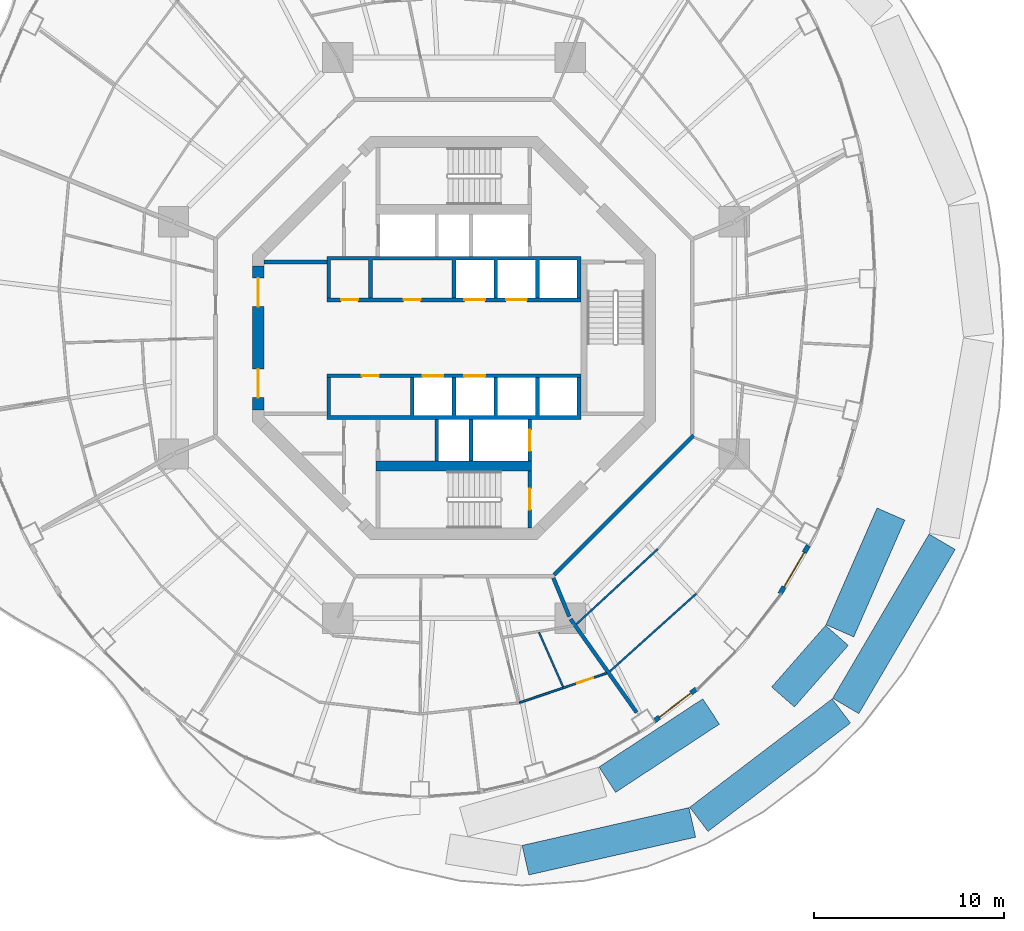
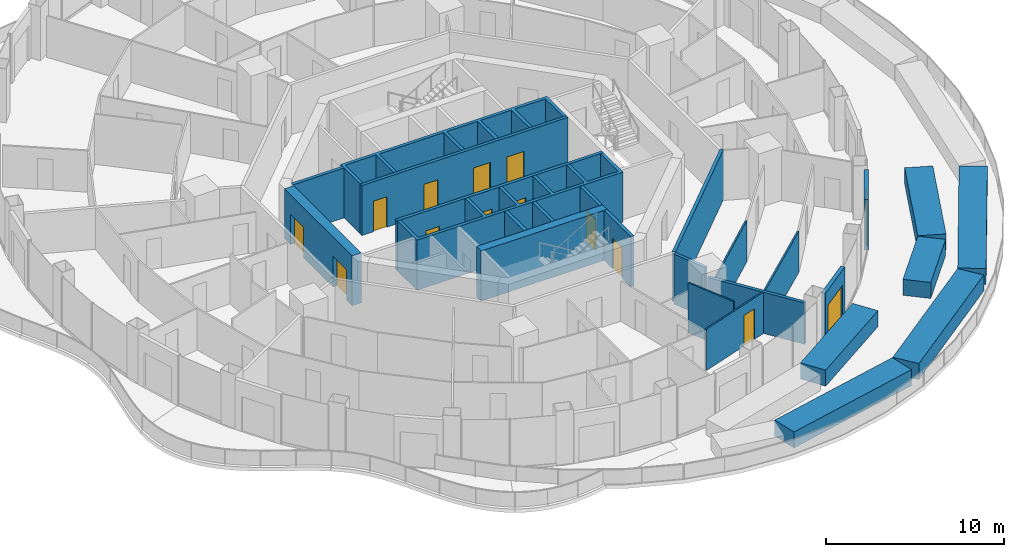
# One storey, part 11 of 18: 26 walls, 14 doors, 14 openings.
"""IFC4 building model written with IfcOpenShell, lengths in metres."""

from ifc_helpers import new_model, si_unit, direction, frame, frame_2d, origin, place, context, subcontext, project, spatial, polyline, rectangle, outline, extrude, material, layer, layer_set, type_object, element, fill, save


model = new_model("IFC4")

# Units and contexts
model_context = context("Model", 3, precision=1e-05, world=origin(), true_north=direction((0.0, 1.0)))
body_context = subcontext(model_context, "Body", "Model", "MODEL_VIEW")
ifc_project = project(units=[si_unit("LENGTHUNIT", "METRE"), si_unit("AREAUNIT", "SQUARE_METRE"), si_unit("VOLUMEUNIT", "CUBIC_METRE"), si_unit("PLANEANGLEUNIT", "RADIAN"), si_unit("MASSUNIT", "GRAM", prefix="KILO")], contexts=[model_context])

# Site, building, storey
site_placement = place(None, origin())
site = spatial("IfcSite", under=ifc_project, at=site_placement, CompositionType="ELEMENT")
building_placement = place(site_placement, origin())
building = spatial("IfcBuilding", under=site, at=building_placement, Name="Nagisa Residences", CompositionType="ELEMENT")
storey_placement = place(building_placement, frame((0.0, 0.0, 212.199951171875)))
storey = spatial("IfcBuildingStorey", under=building, at=storey_placement, Name="L53", CompositionType="ELEMENT", Elevation=212.199951171875)

# Walls
ifc_material_1 = material(Name="Gypsum board on steel studs", Category="steel")
ifc_layer_1 = layer(ifc_material_1, 0.199951171875)
ifc_layer_set_1 = layer_set([ifc_layer_1], Name="Apartment compartment wall EI60 200")
wall_type_1 = type_object("IfcWallType", Name="Apartment compartment wall EI60 200", PredefinedType="PARTITIONING", material=ifc_layer_set_1)
wall_1_placement = place(storey_placement, frame((5.24267578125, -12.6572265625, 0.0), z_axis=(0.0, 0.0, 1.0), x_axis=(0.382691608661, -0.923876145736, 0.0)))
element("IfcWall", 1, at=wall_1_placement, inside=storey, type_object=wall_type_1, Name="wall:L53:u06", PredefinedType="PARTITIONING", context=body_context, shape_type="SweptSolid", body=[
    extrude(rectangle(XDim=2.19970703125, YDim=0.199951171875, at=frame_2d((1.099853515625, 0.0))), origin(), (0.0, 0.0, 1.0), 3.43994140625),
])
wall_2_placement = place(storey_placement, frame((6.15185546875, -14.822998046875, 0.0), z_axis=(0.0, 0.0, 1.0), x_axis=(0.576994695158, -0.816747893637, 0.0)))
element("IfcWall", 2, at=wall_2_placement, inside=storey, type_object=wall_type_1, Name="wall:L53:u07", PredefinedType="PARTITIONING", context=body_context, shape_type="SweptSolid", body=[
    extrude(rectangle(XDim=6.0302734375, YDim=0.199951171875, at=frame_2d((3.01513671875, 0.0))), origin(), (0.0, 0.0, 1.0), 2.837158203125),
])
ifc_material_2 = material(Name="Gypsum board on steel studs", Category="steel")
ifc_layer_2 = layer(ifc_material_2, 0.199951171875)
ifc_layer_set_2 = layer_set([ifc_layer_2], Name="Apartment entry wall EI60 200")
wall_type_2 = type_object("IfcWallType", Name="Apartment entry wall EI60 200", PredefinedType="PARTITIONING", material=ifc_layer_set_2)
wall_3_placement = place(storey_placement, frame((5.275146484375, -12.494140625, 0.0), z_axis=(0.0, 0.0, 1.0), x_axis=(0.707106781187, 0.707106781187, 0.0)))
element("IfcWall", 3, at=wall_3_placement, inside=storey, type_object=wall_type_2, Name="wall:L53:u15", PredefinedType="PARTITIONING", context=body_context, shape_type="SweptSolid", body=[
    extrude(rectangle(XDim=10.4091796875, YDim=0.199951171875, at=frame_2d((5.20458984375, 0.0))), origin(), (0.0, 0.0, 1.0), 3.43994140625),
])

# Wall, opening, door
ifc_material_3 = material(Name="Gypsum board on steel studs", Category="steel")
ifc_layer_3 = layer(ifc_material_3, 0.10009765625)
ifc_layer_set_3 = layer_set([ifc_layer_3], Name="Apartment partition 100")
wall_type_3 = type_object("IfcWallType", Name="Apartment partition 100", PredefinedType="PARTITIONING", material=ifc_layer_set_3)
wall_4_placement = place(storey_placement, frame((3.453125, -19.228759765625, 0.0), z_axis=(0.0, 0.0, 1.0), x_axis=(0.947565610716, 0.31956128268, 0.0)))
wall_4 = element("IfcWall", 4, at=wall_4_placement, inside=storey, type_object=wall_type_3, Name="wall:L53:u80", PredefinedType="PARTITIONING", context=body_context, shape_type="SweptSolid", body=[
    extrude(rectangle(XDim=4.852783203125, YDim=0.10009765625, at=frame_2d((2.42626953125, 0.0))), origin(), (0.0, 0.0, 1.0), 2.837158203125),
])
opening_1_placement = place(wall_4_placement, frame((3.2021484375, 0.0, 0.0)))
opening_1 = element("IfcOpeningElement", 5, at=opening_1_placement, cuts=wall_4, Name="Opening L53-U38", PredefinedType="OPENING", context=body_context, shape_type="SweptSolid", body=[
    extrude(rectangle(XDim=0.89990234375, YDim=2.10009765625, at=frame_2d((0.449951171875, 1.050048828125))), frame((0.0, 0.06005859375, 0.0), z_axis=(0.0, -1.0, 0.0), x_axis=(1.0, 0.0, 0.0)), (0.0, 0.0, 1.0), 0.1201171875),
])
ifc_material_4 = material(Name="Timber door set", Category="wood")
door_type_1 = type_object("IfcDoorType", Name="Apartment door 900x2100", OperationType="NOTDEFINED", PredefinedType="DOOR", material=ifc_material_4)
door_1_placement = place(opening_1_placement, origin())
door_1 = element("IfcDoor", 6, at=door_1_placement, inside=storey, type_object=door_type_1, Name="Door to en-suite bathroom, Apartment 53C", OperationType="SINGLE_SWING_RIGHT", OverallHeight=2.10009765625, OverallWidth=0.89990234375, PredefinedType="DOOR", context=body_context, shape_type="SweptSolid", body=[
    extrude(rectangle(XDim=0.89990234375, YDim=2.10009765625, at=frame_2d((0.449951171875, 1.050048828125))), frame((0.0, 0.02490234375, 0.0), z_axis=(0.0, -1.0, 0.0), x_axis=(1.0, 0.0, 0.0)), (0.0, 0.0, 1.0), 0.050048828125),
])
fill(opening_1, door_1)

# Walls
wall_5_placement = place(storey_placement, frame((4.4853515625, -15.522216796875, 0.0), z_axis=(0.0, 0.0, 1.0), x_axis=(0.40391918208, -0.914794673327, 0.0)))
element("IfcWall", 7, at=wall_5_placement, inside=storey, type_object=wall_type_3, Name="wall:L53:u81", PredefinedType="PARTITIONING", context=body_context, shape_type="SweptSolid", body=[
    extrude(rectangle(XDim=3.1455078125, YDim=0.10009765625, at=frame_2d((1.57275390625, 0.0))), origin(), (0.0, 0.0, 1.0), 3.43994140625),
])
wall_6_placement = place(storey_placement, frame((6.460693359375, -15.08837890625, 0.0), z_axis=(0.0, 0.0, 1.0), x_axis=(0.73461579427, 0.678483334217, 0.0)))
element("IfcWall", 8, at=wall_6_placement, inside=storey, type_object=wall_type_3, Name="wall:L53:u82", PredefinedType="PARTITIONING", context=body_context, shape_type="SweptSolid", body=[
    extrude(rectangle(XDim=5.8369140625, YDim=0.10009765625, at=frame_2d((2.91845703125, 0.0))), origin(), (0.0, 0.0, 1.0), 2.837158203125),
])
wall_7_placement = place(storey_placement, frame((8.220458984375, -17.5791015625, 0.0), z_axis=(0.0, 0.0, 1.0), x_axis=(0.743696370895, 0.668517544958, 0.0)))
element("IfcWall", 9, at=wall_7_placement, inside=storey, type_object=wall_type_3, Name="wall:L53:u83", PredefinedType="PARTITIONING", context=body_context, shape_type="SweptSolid", body=[
    extrude(rectangle(XDim=6.124755859375, YDim=0.10009765625, at=frame_2d((3.0625, 0.0))), origin(), (0.0, 0.0, 1.0), 2.837158203125),
])

# Wall, opening, door
ifc_material_5 = material(Name="Precast concrete C40/50", Category="concrete")
ifc_layer_4 = layer(ifc_material_5, 0.25)
ifc_layer_set_4 = layer_set([ifc_layer_4], Name="BALCONY DOOR WALL 250")
wall_type_4 = type_object("IfcWallType", Name="BALCONY DOOR WALL 250", PredefinedType="SOLIDWALL", material=ifc_layer_set_4)
wall_8_placement = place(storey_placement, frame((12.77734375, -18.5126953125, 0.0), z_axis=(0.0, 0.0, 1.0), x_axis=(-0.796022158395, -0.605267480825, 0.0)))
wall_8 = element("IfcWall", 10, at=wall_8_placement, inside=storey, type_object=wall_type_4, Name="wall:L53:bay40", PredefinedType="SOLIDWALL", context=body_context, shape_type="SweptSolid", body=[
    extrude(rectangle(XDim=2.788818359375, YDim=0.25, at=frame_2d((1.39453125, 0.0))), origin(), (0.0, 0.0, 1.0), 3.43994140625),
])
opening_2_placement = place(wall_8_placement, frame((0.34423828125, 0.0, 0.0)))
opening_2 = element("IfcOpeningElement", 11, at=opening_2_placement, cuts=wall_8, Name="Opening BD-L53-14", PredefinedType="OPENING", context=body_context, shape_type="SweptSolid", body=[
    extrude(rectangle(XDim=2.10009765625, YDim=2.39990234375, at=frame_2d((1.050048828125, 1.199951171875))), frame((0.0, 0.135009765625, 0.0), z_axis=(0.0, -1.0, 0.0), x_axis=(1.0, 0.0, 0.0)), (0.0, 0.0, 1.0), 0.27001953125),
])
ifc_material_6 = material(Name="Aluminium and clear glass", Category="aluminium")
door_type_2 = type_object("IfcDoorType", Name="BALCONY SLIDING DOOR 2100x2400", OperationType="SLIDING_TO_LEFT", PredefinedType="DOOR", material=ifc_material_6)
door_2_placement = place(opening_2_placement, origin())
door_2 = element("IfcDoor", 12, at=door_2_placement, inside=storey, type_object=door_type_2, Name="door:L53:bay40", OperationType="SLIDING_TO_LEFT", OverallHeight=2.39990234375, OverallWidth=2.10009765625, PredefinedType="DOOR", context=body_context, shape_type="SweptSolid", body=[
    extrude(rectangle(XDim=2.10009765625, YDim=2.39990234375, at=frame_2d((1.050048828125, 1.199951171875))), frame((0.0, 0.02490234375, 0.0), z_axis=(0.0, -1.0, 0.0), x_axis=(1.0, 0.0, 0.0)), (0.0, 0.0, 1.0), 0.050048828125),
])
fill(opening_2, door_2)

wall_9_placement = place(storey_placement, frame((18.684326171875, -10.945068359375, 0.0), z_axis=(0.0, 0.0, 1.0), x_axis=(-0.5063555387, -0.862324804484, 0.0)))
wall_9 = element("IfcWall", 13, at=wall_9_placement, inside=storey, type_object=wall_type_4, Name="wall:L53:bay43", PredefinedType="SOLIDWALL", context=body_context, shape_type="SweptSolid", body=[
    extrude(rectangle(XDim=2.95458984375, YDim=0.25, at=frame_2d((1.477294921875, 0.0))), origin(), (0.0, 0.0, 1.0), 3.43994140625),
])
opening_3_placement = place(wall_9_placement, frame((0.42724609375, 0.0, 0.0)))
opening_3 = element("IfcOpeningElement", 14, at=opening_3_placement, cuts=wall_9, Name="Opening BD-L53-15", PredefinedType="OPENING", context=body_context, shape_type="SweptSolid", body=[
    extrude(rectangle(XDim=2.10009765625, YDim=2.39990234375, at=frame_2d((1.050048828125, 1.199951171875))), frame((0.0, 0.135009765625, 0.0), z_axis=(0.0, -1.0, 0.0), x_axis=(1.0, 0.0, 0.0)), (0.0, 0.0, 1.0), 0.27001953125),
])
door_3_placement = place(opening_3_placement, origin())
door_3 = element("IfcDoor", 15, at=door_3_placement, inside=storey, type_object=door_type_2, Name="door:L53:bay43", OperationType="SLIDING_TO_LEFT", OverallHeight=2.39990234375, OverallWidth=2.10009765625, PredefinedType="DOOR", context=body_context, shape_type="SweptSolid", body=[
    extrude(rectangle(XDim=2.10009765625, YDim=2.39990234375, at=frame_2d((1.050048828125, 1.199951171875))), frame((0.0, 0.02490234375, 0.0), z_axis=(0.0, -1.0, 0.0), x_axis=(1.0, 0.0, 0.0)), (0.0, 0.0, 1.0), 0.050048828125),
])
fill(opening_3, door_3)

# Wall
ifc_material_7 = material(Name="Gypsum board on steel studs", Category="steel")
ifc_layer_5 = layer(ifc_material_7, 0.199951171875)
ifc_layer_set_5 = layer_set([ifc_layer_5], Name="Core partition 200")
wall_type_5 = type_object("IfcWallType", Name="Core partition 200", PredefinedType="PARTITIONING", material=ifc_layer_set_5)
wall_10_placement = place(storey_placement, frame((-10.024658203125, 4.0, 0.0), z_axis=(0.0, 0.0, 1.0), x_axis=(1.0, 0.0, 0.0)))
element("IfcWall", 16, at=wall_10_placement, inside=storey, type_object=wall_type_5, Name="wall:L53:PNW", PredefinedType="PARTITIONING", context=body_context, shape_type="SweptSolid", body=[
    extrude(rectangle(XDim=3.32470703125, YDim=0.199951171875, at=frame_2d((1.662353515625, 0.0))), origin(), (0.0, 0.0, 1.0), 3.43994140625),
])

# Wall, openings, doors
ifc_material_8 = material(Name="Concrete C60", Category="concrete")
ifc_layer_6 = layer(ifc_material_8, 0.60009765625)
ifc_layer_set_6 = layer_set([ifc_layer_6], Name="Core shear wall 600")
wall_type_6 = type_object("IfcWallType", Name="Core shear wall 600", PredefinedType="SHEAR", material=ifc_layer_set_6)
wall_11_placement = place(storey_placement, frame((-10.32470703125, 3.80078125, 0.0), z_axis=(0.0, 0.0, 1.0), x_axis=(0.0, -1.0, 0.0)))
wall_11 = element("IfcWall", 17, at=wall_11_placement, inside=storey, type_object=wall_type_6, Name="wall:L53:core:flat4", PredefinedType="SHEAR", context=body_context, shape_type="SweptSolid", body=[
    extrude(rectangle(XDim=7.6015625, YDim=0.60009765625, at=frame_2d((3.80078125, 0.0))), origin(), (0.0, 0.0, 1.0), 3.43994140625),
])
opening_4_placement = place(wall_11_placement, frame((0.65087890625, 0.0, 0.0)))
opening_4 = element("IfcOpeningElement", 18, at=opening_4_placement, cuts=wall_11, Name="Opening L53-C20", PredefinedType="OPENING", context=body_context, shape_type="SweptSolid", body=[
    extrude(rectangle(XDim=1.5, YDim=2.10009765625, at=frame_2d((0.75, 1.050048828125))), frame((0.0, 0.31005859375, 0.0), z_axis=(0.0, -1.0, 0.0), x_axis=(1.0, 0.0, 0.0)), (0.0, 0.0, 1.0), 0.6201171875),
])
opening_5_placement = place(wall_11_placement, frame((5.450927734375, 0.0, 0.0)))
opening_5 = element("IfcOpeningElement", 19, at=opening_5_placement, cuts=wall_11, Name="Opening L53-C21", PredefinedType="OPENING", context=body_context, shape_type="SweptSolid", body=[
    extrude(rectangle(XDim=1.5, YDim=2.10009765625, at=frame_2d((0.75, 1.050048828125))), frame((0.0, 0.31005859375, 0.0), z_axis=(0.0, -1.0, 0.0), x_axis=(1.0, 0.0, 0.0)), (0.0, 0.0, 1.0), 0.6201171875),
])
ifc_material_9 = material(Name="Steel fire door", Category="steel")
door_type_3 = type_object("IfcDoorType", Name="Fire door EI60 1500x2100 double door single swing", OperationType="DOUBLE_DOOR_SINGLE_SWING", PredefinedType="DOOR", material=ifc_material_9)
door_4_placement = place(opening_4_placement, origin())
door_4 = element("IfcDoor", 20, at=door_4_placement, inside=storey, type_object=door_type_3, Name="Lift lobby door L53 1", OperationType="DOUBLE_DOOR_SINGLE_SWING", OverallHeight=2.10009765625, OverallWidth=1.5, PredefinedType="DOOR", context=body_context, shape_type="SweptSolid", body=[
    extrude(rectangle(XDim=1.5, YDim=2.10009765625, at=frame_2d((0.75, 1.050048828125))), frame((0.0, 0.02490234375, 0.0), z_axis=(0.0, -1.0, 0.0), x_axis=(1.0, 0.0, 0.0)), (0.0, 0.0, 1.0), 0.050048828125),
])
fill(opening_4, door_4)
door_5_placement = place(opening_5_placement, origin())
door_5 = element("IfcDoor", 21, at=door_5_placement, inside=storey, type_object=door_type_3, Name="Lift lobby door L53 2", OperationType="DOUBLE_DOOR_SINGLE_SWING", OverallHeight=2.10009765625, OverallWidth=1.5, PredefinedType="DOOR", context=body_context, shape_type="SweptSolid", body=[
    extrude(rectangle(XDim=1.5, YDim=2.10009765625, at=frame_2d((0.75, 1.050048828125))), frame((0.0, 0.02490234375, 0.0), z_axis=(0.0, -1.0, 0.0), x_axis=(1.0, 0.0, 0.0)), (0.0, 0.0, 1.0), 0.050048828125),
])
fill(opening_5, door_5)

ifc_material_10 = material(Name="Concrete C60", Category="concrete")
ifc_layer_7 = layer(ifc_material_10, 0.199951171875)
ifc_layer_set_7 = layer_set([ifc_layer_7], Name="Lift shaft wall 200")
wall_type_7 = type_object("IfcWallType", Name="Lift shaft wall 200", PredefinedType="SOLIDWALL", material=ifc_layer_set_7)
wall_12_placement = place(storey_placement, frame((-6.699951171875, 2.0, 0.0), z_axis=(0.0, 0.0, 1.0), x_axis=(1.0, 0.0, 0.0)))
wall_12 = element("IfcWall", 22, at=wall_12_placement, inside=storey, type_object=wall_type_7, Name="wall:L53:Nfront", PredefinedType="SOLIDWALL", context=body_context, shape_type="SweptSolid", body=[
    extrude(rectangle(XDim=13.39990234375, YDim=0.199951171875, at=frame_2d((6.699951171875, 0.0))), origin(), (0.0, 0.0, 1.0), 3.43994140625),
])
opening_6_placement = place(wall_12_placement, frame((7.25, 0.0, 0.0)))
opening_6 = element("IfcOpeningElement", 23, at=opening_6_placement, cuts=wall_12, Name="Opening L53-C01", PredefinedType="OPENING", context=body_context, shape_type="SweptSolid", body=[
    extrude(rectangle(XDim=1.10009765625, YDim=2.10009765625, at=frame_2d((0.550048828125, 1.050048828125))), frame((0.0, 0.10986328125, 0.0), z_axis=(0.0, -1.0, 0.0), x_axis=(1.0, 0.0, 0.0)), (0.0, 0.0, 1.0), 0.219970703125),
])
opening_7_placement = place(wall_12_placement, frame((9.449951171875, 0.0, 0.0)))
opening_7 = element("IfcOpeningElement", 24, at=opening_7_placement, cuts=wall_12, Name="Opening L53-C02", PredefinedType="OPENING", context=body_context, shape_type="SweptSolid", body=[
    extrude(rectangle(XDim=1.10009765625, YDim=2.10009765625, at=frame_2d((0.550048828125, 1.050048828125))), frame((0.0, 0.10986328125, 0.0), z_axis=(0.0, -1.0, 0.0), x_axis=(1.0, 0.0, 0.0)), (0.0, 0.0, 1.0), 0.219970703125),
])
opening_8_placement = place(wall_12_placement, frame((0.75, 0.0, 0.0)))
opening_8 = element("IfcOpeningElement", 25, at=opening_8_placement, cuts=wall_12, Name="Opening L53-C15", PredefinedType="OPENING", context=body_context, shape_type="SweptSolid", body=[
    extrude(rectangle(XDim=0.89990234375, YDim=2.10009765625, at=frame_2d((0.449951171875, 1.050048828125))), frame((0.0, 0.10986328125, 0.0), z_axis=(0.0, -1.0, 0.0), x_axis=(1.0, 0.0, 0.0)), (0.0, 0.0, 1.0), 0.219970703125),
])
opening_9_placement = place(wall_12_placement, frame((4.050048828125, 0.0, 0.0)))
opening_9 = element("IfcOpeningElement", 26, at=opening_9_placement, cuts=wall_12, Name="Opening L53-C16", PredefinedType="OPENING", context=body_context, shape_type="SweptSolid", body=[
    extrude(rectangle(XDim=0.89990234375, YDim=2.10009765625, at=frame_2d((0.449951171875, 1.050048828125))), frame((0.0, 0.10986328125, 0.0), z_axis=(0.0, -1.0, 0.0), x_axis=(1.0, 0.0, 0.0)), (0.0, 0.0, 1.0), 0.219970703125),
])
ifc_material_11 = material(Name="Steel fire door", Category="steel")
door_type_4 = type_object("IfcDoorType", Name="Fire door EI30 900x2100 single swing", OperationType="NOTDEFINED", PredefinedType="DOOR", material=ifc_material_11)
door_6_placement = place(opening_8_placement, origin())
door_6 = element("IfcDoor", 27, at=door_6_placement, inside=storey, type_object=door_type_4, Name="Wine store door L53", OperationType="SINGLE_SWING_RIGHT", OverallHeight=2.10009765625, OverallWidth=0.89990234375, PredefinedType="DOOR", context=body_context, shape_type="SweptSolid", body=[
    extrude(rectangle(XDim=0.89990234375, YDim=2.10009765625, at=frame_2d((0.449951171875, 1.050048828125))), frame((0.0, 0.02490234375, 0.0), z_axis=(0.0, -1.0, 0.0), x_axis=(1.0, 0.0, 0.0)), (0.0, 0.0, 1.0), 0.050048828125),
])
fill(opening_8, door_6)
door_7_placement = place(opening_9_placement, origin())
door_7 = element("IfcDoor", 28, at=door_7_placement, inside=storey, type_object=door_type_4, Name="Package room door L53", OperationType="SINGLE_SWING_RIGHT", OverallHeight=2.10009765625, OverallWidth=0.89990234375, PredefinedType="DOOR", context=body_context, shape_type="SweptSolid", body=[
    extrude(rectangle(XDim=0.89990234375, YDim=2.10009765625, at=frame_2d((0.449951171875, 1.050048828125))), frame((0.0, 0.02490234375, 0.0), z_axis=(0.0, -1.0, 0.0), x_axis=(1.0, 0.0, 0.0)), (0.0, 0.0, 1.0), 0.050048828125),
])
fill(opening_9, door_7)
ifc_material_12 = material(Name="Stainless steel", Category="steel")
door_type_5 = type_object("IfcDoorType", Name="Lift landing door 1100x2100", OperationType="DOUBLE_DOOR_SLIDING", PredefinedType="DOOR", material=ifc_material_12)
door_8_placement = place(opening_6_placement, origin())
door_8 = element("IfcDoor", 29, at=door_8_placement, inside=storey, type_object=door_type_5, Name="Landing door B1 L53", OperationType="DOUBLE_DOOR_SLIDING", OverallHeight=2.10009765625, OverallWidth=1.10009765625, PredefinedType="DOOR", context=body_context, shape_type="SweptSolid", body=[
    extrude(rectangle(XDim=1.10009765625, YDim=2.10009765625, at=frame_2d((0.550048828125, 1.050048828125))), frame((0.0, 0.02490234375, 0.0), z_axis=(0.0, -1.0, 0.0), x_axis=(1.0, 0.0, 0.0)), (0.0, 0.0, 1.0), 0.050048828125),
])
fill(opening_6, door_8)
door_9_placement = place(opening_7_placement, origin())
door_9 = element("IfcDoor", 30, at=door_9_placement, inside=storey, type_object=door_type_5, Name="Landing door B2 L53", OperationType="DOUBLE_DOOR_SLIDING", OverallHeight=2.10009765625, OverallWidth=1.10009765625, PredefinedType="DOOR", context=body_context, shape_type="SweptSolid", body=[
    extrude(rectangle(XDim=1.10009765625, YDim=2.10009765625, at=frame_2d((0.550048828125, 1.050048828125))), frame((0.0, 0.02490234375, 0.0), z_axis=(0.0, -1.0, 0.0), x_axis=(1.0, 0.0, 0.0)), (0.0, 0.0, 1.0), 0.050048828125),
])
fill(opening_7, door_9)

# Wall, opening, door
wall_13_placement = place(storey_placement, frame((4.0, -6.5, 0.0), z_axis=(0.0, 0.0, 1.0), x_axis=(0.0, 1.0, 0.0)))
wall_13 = element("IfcWall", 31, at=wall_13_placement, inside=storey, type_object=wall_type_7, Name="wall:L53:Sb3", PredefinedType="SOLIDWALL", context=body_context, shape_type="SweptSolid", body=[
    extrude(rectangle(XDim=2.199951171875, YDim=0.199951171875, at=frame_2d((1.10009765625, 0.0))), origin(), (0.0, 0.0, 1.0), 3.43994140625),
])
opening_10_placement = place(wall_13_placement, frame((0.550048828125, 0.0, 0.0)))
opening_10 = element("IfcOpeningElement", 32, at=opening_10_placement, cuts=wall_13, Name="Opening L53-C06", PredefinedType="OPENING", context=body_context, shape_type="SweptSolid", body=[
    extrude(rectangle(XDim=1.10009765625, YDim=2.10009765625, at=frame_2d((0.550048828125, 1.050048828125))), frame((0.0, 0.10986328125, 0.0), z_axis=(0.0, -1.0, 0.0), x_axis=(1.0, 0.0, 0.0)), (0.0, 0.0, 1.0), 0.219970703125),
])
door_10_placement = place(opening_10_placement, origin())
door_10 = element("IfcDoor", 33, at=door_10_placement, inside=storey, type_object=door_type_5, Name="Landing door FL2 L53", OperationType="DOUBLE_DOOR_SLIDING", OverallHeight=2.10009765625, OverallWidth=1.10009765625, PredefinedType="DOOR", context=body_context, shape_type="SweptSolid", body=[
    extrude(rectangle(XDim=1.10009765625, YDim=2.10009765625, at=frame_2d((0.550048828125, 1.050048828125))), frame((0.0, 0.02490234375, 0.0), z_axis=(0.0, -1.0, 0.0), x_axis=(1.0, 0.0, 0.0)), (0.0, 0.0, 1.0), 0.050048828125),
])
fill(opening_10, door_10)

# Wall, openings, doors
wall_14_placement = place(storey_placement, frame((-6.699951171875, -2.0, 0.0), z_axis=(0.0, 0.0, 1.0), x_axis=(1.0, 0.0, 0.0)))
wall_14 = element("IfcWall", 34, at=wall_14_placement, inside=storey, type_object=wall_type_7, Name="wall:L53:Sfront", PredefinedType="SOLIDWALL", context=body_context, shape_type="SweptSolid", body=[
    extrude(rectangle(XDim=13.39990234375, YDim=0.199951171875, at=frame_2d((6.699951171875, 0.0))), origin(), (0.0, 0.0, 1.0), 3.43994140625),
])
opening_11_placement = place(wall_14_placement, frame((5.050048828125, 0.0, 0.0)))
opening_11 = element("IfcOpeningElement", 35, at=opening_11_placement, cuts=wall_14, Name="Opening L53-C03", PredefinedType="OPENING", context=body_context, shape_type="SweptSolid", body=[
    extrude(rectangle(XDim=1.10009765625, YDim=2.10009765625, at=frame_2d((0.550048828125, 1.050048828125))), frame((0.0, 0.10986328125, 0.0), z_axis=(0.0, -1.0, 0.0), x_axis=(1.0, 0.0, 0.0)), (0.0, 0.0, 1.0), 0.219970703125),
])
opening_12_placement = place(wall_14_placement, frame((7.25, 0.0, 0.0)))
opening_12 = element("IfcOpeningElement", 36, at=opening_12_placement, cuts=wall_14, Name="Opening L53-C04", PredefinedType="OPENING", context=body_context, shape_type="SweptSolid", body=[
    extrude(rectangle(XDim=1.10009765625, YDim=2.10009765625, at=frame_2d((0.550048828125, 1.050048828125))), frame((0.0, 0.10986328125, 0.0), z_axis=(0.0, -1.0, 0.0), x_axis=(1.0, 0.0, 0.0)), (0.0, 0.0, 1.0), 0.219970703125),
])
opening_13_placement = place(wall_14_placement, frame((1.85009765625, 0.0, 0.0)))
opening_13 = element("IfcOpeningElement", 37, at=opening_13_placement, cuts=wall_14, Name="Opening L53-C17", PredefinedType="OPENING", context=body_context, shape_type="SweptSolid", body=[
    extrude(rectangle(XDim=0.89990234375, YDim=2.10009765625, at=frame_2d((0.449951171875, 1.050048828125))), frame((0.0, 0.10986328125, 0.0), z_axis=(0.0, -1.0, 0.0), x_axis=(1.0, 0.0, 0.0)), (0.0, 0.0, 1.0), 0.219970703125),
])
door_11_placement = place(opening_13_placement, frame((0.89990234375, 0.0, 0.0), x_axis=(-1.0, 0.0, 0.0)))
door_11 = element("IfcDoor", 38, at=door_11_placement, inside=storey, type_object=door_type_4, Name="Linen store door L53", OperationType="SINGLE_SWING_LEFT", OverallHeight=2.10009765625, OverallWidth=0.89990234375, PredefinedType="DOOR", context=body_context, shape_type="SweptSolid", body=[
    extrude(rectangle(XDim=0.89990234375, YDim=2.10009765625, at=frame_2d((0.449951171875, 1.050048828125))), frame((0.0, 0.02490234375, 0.0), z_axis=(0.0, -1.0, 0.0), x_axis=(1.0, 0.0, 0.0)), (0.0, 0.0, 1.0), 0.050048828125),
])
fill(opening_13, door_11)
door_12_placement = place(opening_11_placement, origin())
door_12 = element("IfcDoor", 39, at=door_12_placement, inside=storey, type_object=door_type_5, Name="Landing door B3 L53", OperationType="DOUBLE_DOOR_SLIDING", OverallHeight=2.10009765625, OverallWidth=1.10009765625, PredefinedType="DOOR", context=body_context, shape_type="SweptSolid", body=[
    extrude(rectangle(XDim=1.10009765625, YDim=2.10009765625, at=frame_2d((0.550048828125, 1.050048828125))), frame((0.0, 0.02490234375, 0.0), z_axis=(0.0, -1.0, 0.0), x_axis=(1.0, 0.0, 0.0)), (0.0, 0.0, 1.0), 0.050048828125),
])
fill(opening_11, door_12)
door_13_placement = place(opening_12_placement, origin())
door_13 = element("IfcDoor", 40, at=door_13_placement, inside=storey, type_object=door_type_5, Name="Landing door B4 L53", OperationType="DOUBLE_DOOR_SLIDING", OverallHeight=2.10009765625, OverallWidth=1.10009765625, PredefinedType="DOOR", context=body_context, shape_type="SweptSolid", body=[
    extrude(rectangle(XDim=1.10009765625, YDim=2.10009765625, at=frame_2d((0.550048828125, 1.050048828125))), frame((0.0, 0.02490234375, 0.0), z_axis=(0.0, -1.0, 0.0), x_axis=(1.0, 0.0, 0.0)), (0.0, 0.0, 1.0), 0.050048828125),
])
fill(opening_12, door_13)

# Walls
wall_15_placement = place(storey_placement, origin())
element("IfcWall", 41, at=wall_15_placement, inside=storey, type_object=wall_type_7, Name="wall:L53:Nback", PredefinedType="SOLIDWALL", context=body_context, shape_type="SweptSolid", body=[
    extrude(outline(polyline([(-6.699951171875, 4.300048828125), (6.699951171875, 4.300048828125), (6.699951171875, 2.10009765625), (6.5, 2.10009765625), (6.5, 4.10009765625), (4.5, 4.10009765625), (4.5, 2.10009765625), (4.300048828125, 2.10009765625), (4.300048828125, 4.10009765625), (2.300048828125, 4.10009765625), (2.300048828125, 2.10009765625), (2.10009765625, 2.10009765625), (2.10009765625, 4.10009765625), (0.10009765625, 4.10009765625), (0.10009765625, 2.10009765625), (-0.10009765625, 2.10009765625), (-0.10009765625, 4.10009765625), (-4.300048828125, 4.10009765625), (-4.300048828125, 2.10009765625), (-4.5, 2.10009765625), (-4.5, 4.10009765625), (-6.5, 4.10009765625), (-6.5, 2.10009765625), (-6.699951171875, 2.10009765625), (-6.699951171875, 4.300048828125)])), origin(), (0.0, 0.0, 1.0), 3.43994140625),
])
for number, where, z_axis, x_axis, name in (
    (42, (-0.89990234375, -6.5, 0.0), (0.0, 0.0, 1.0), (0.0, 1.0, 0.0), "wall:L53:Sb1"),
    (43, (0.89990234375, -6.5, 0.0), (0.0, 0.0, 1.0), (0.0, 1.0, 0.0), "wall:L53:Sb2"),
):
    element("IfcWall", number, at=place(storey_placement, frame(where, z_axis=z_axis, x_axis=x_axis)), inside=storey, type_object=wall_type_7, Name=name, PredefinedType="SOLIDWALL", context=body_context, shape_type="SweptSolid", body=[
        extrude(rectangle(XDim=2.199951171875, YDim=0.199951171875, at=frame_2d((1.10009765625, 0.0))), origin(), (0.0, 0.0, 1.0), 3.43994140625),
    ])
wall_16_placement = place(storey_placement, origin())
element("IfcWall", 44, at=wall_16_placement, inside=storey, type_object=wall_type_7, Name="wall:L53:Sback", PredefinedType="SOLIDWALL", context=body_context, shape_type="SweptSolid", body=[
    extrude(outline(polyline([(-6.699951171875, -2.10009765625), (-6.5, -2.10009765625), (-6.5, -4.10009765625), (-2.300048828125, -4.10009765625), (-2.300048828125, -2.10009765625), (-2.10009765625, -2.10009765625), (-2.10009765625, -4.10009765625), (-0.10009765625, -4.10009765625), (-0.10009765625, -2.10009765625), (0.10009765625, -2.10009765625), (0.10009765625, -4.10009765625), (2.10009765625, -4.10009765625), (2.10009765625, -2.10009765625), (2.300048828125, -2.10009765625), (2.300048828125, -4.10009765625), (4.300048828125, -4.10009765625), (4.300048828125, -2.10009765625), (4.5, -2.10009765625), (4.5, -4.10009765625), (6.5, -4.10009765625), (6.5, -2.10009765625), (6.699951171875, -2.10009765625), (6.699951171875, -4.300048828125), (-6.699951171875, -4.300048828125), (-6.699951171875, -2.10009765625)])), origin(), (0.0, 0.0, 1.0), 3.43994140625),
])
ifc_material_13 = material(Name="Precast concrete C30/37", Category="concrete")
ifc_layer_8 = layer(ifc_material_13, 1.60009765625)
ifc_layer_set_8 = layer_set([ifc_layer_8], Name="PLANTER")
wall_type_8 = type_object("IfcWallType", Name="PLANTER", PredefinedType="SOLIDWALL", material=ifc_layer_set_8)
wall_17_placement = place(storey_placement, frame((8.083984375, -23.289306640625, 0.0), z_axis=(0.0, 0.0, 1.0), x_axis=(0.83581006315, 0.549018704907, 0.0)))
element("IfcWall", 45, at=wall_17_placement, inside=storey, type_object=wall_type_8, Name="planter:L53:garden003", PredefinedType="SOLIDWALL", context=body_context, shape_type="SweptSolid", body=[
    extrude(rectangle(XDim=6.5498046875, YDim=1.60009765625, at=frame_2d((3.27490234375, 0.0))), origin(), (0.0, 0.0, 1.0), 1.10009765625),
])
wall_18_placement = place(storey_placement, frame((12.566650390625, -25.54052734375, 0.0), z_axis=(0.0, 0.0, 1.0), x_axis=(-0.975296134704, -0.22090144778, 0.0)))
element("IfcWall", 46, at=wall_18_placement, inside=storey, type_object=wall_type_8, Name="planter:L53:garden004", PredefinedType="SOLIDWALL", context=body_context, shape_type="SweptSolid", body=[
    extrude(rectangle(XDim=9.0185546875, YDim=1.60009765625, at=frame_2d((4.50927734375, 0.0))), origin(), (0.0, 0.0, 1.0), 1.10009765625),
])
wall_19_placement = place(storey_placement, frame((20.423095703125, -19.664794921875, 0.0), z_axis=(0.0, 0.0, 1.0), x_axis=(-0.795875560639, -0.605460231541, 0.0)))
element("IfcWall", 47, at=wall_19_placement, inside=storey, type_object=wall_type_8, Name="planter:L53:garden006", PredefinedType="SOLIDWALL", context=body_context, shape_type="SweptSolid", body=[
    extrude(rectangle(XDim=9.4404296875, YDim=1.60009765625, at=frame_2d((4.72021484375, 0.0))), origin(), (0.0, 0.0, 1.0), 1.10009765625),
])
wall_20_placement = place(storey_placement, frame((25.736572265625, -10.74609375, 0.0), z_axis=(0.0, 0.0, 1.0), x_axis=(-0.506206860149, -0.862412091021, 0.0)))
element("IfcWall", 48, at=wall_20_placement, inside=storey, type_object=wall_type_8, Name="planter:L53:garden008", PredefinedType="SOLIDWALL", context=body_context, shape_type="SweptSolid", body=[
    extrude(rectangle(XDim=10.0390625, YDim=1.60009765625, at=frame_2d((5.01953125, 0.0))), origin(), (0.0, 0.0, 1.0), 1.10009765625),
])
wall_21_placement = place(storey_placement, frame((17.347900390625, -18.929931640625, 0.0), z_axis=(0.0, 0.0, 1.0), x_axis=(0.65874885124, 0.752362911759, 0.0)))
element("IfcWall", 49, at=wall_21_placement, inside=storey, type_object=wall_type_8, Name="planter:L53:garden111", PredefinedType="SOLIDWALL", context=body_context, shape_type="SweptSolid", body=[
    extrude(rectangle(XDim=4.316162109375, YDim=1.60009765625, at=frame_2d((2.158203125, 0.0))), origin(), (0.0, 0.0, 1.0), 1.10009765625),
])
wall_22_placement = place(storey_placement, frame((20.34326171875, -15.44287109375, 0.0), z_axis=(0.0, 0.0, 1.0), x_axis=(0.400883628547, 0.916128984567, 0.0)))
element("IfcWall", 50, at=wall_22_placement, inside=storey, type_object=wall_type_8, Name="planter:L53:garden112", PredefinedType="SOLIDWALL", context=body_context, shape_type="SweptSolid", body=[
    extrude(rectangle(XDim=6.720458984375, YDim=1.60009765625, at=frame_2d((3.3603515625, 0.0))), origin(), (0.0, 0.0, 1.0), 1.10009765625),
])

# Wall, opening, door
ifc_material_14 = material(Name="Concrete C60", Category="concrete")
ifc_layer_9 = layer(ifc_material_14, 0.199951171875)
ifc_layer_set_9 = layer_set([ifc_layer_9], Name="Stair enclosure wall 200")
wall_type_9 = type_object("IfcWallType", Name="Stair enclosure wall 200", PredefinedType="SOLIDWALL", material=ifc_layer_set_9)
wall_23_placement = place(storey_placement, frame((4.0, -10.024658203125, 0.0), z_axis=(0.0, 0.0, 1.0), x_axis=(0.0, 1.0, 0.0)))
wall_23 = element("IfcWall", 51, at=wall_23_placement, inside=storey, type_object=wall_type_9, Name="wall:L53:SS_e", PredefinedType="SOLIDWALL", context=body_context, shape_type="SweptSolid", body=[
    extrude(rectangle(XDim=3.0, YDim=0.199951171875, at=frame_2d((1.5, 0.0))), origin(), (0.0, 0.0, 1.0), 3.43994140625),
])
opening_14_placement = place(wall_23_placement, frame((0.974609375, 0.0, 0.0)))
opening_14 = element("IfcOpeningElement", 52, at=opening_14_placement, cuts=wall_23, Name="Opening L53-C10", PredefinedType="OPENING", context=body_context, shape_type="SweptSolid", body=[
    extrude(rectangle(XDim=1.10009765625, YDim=2.10009765625, at=frame_2d((0.550048828125, 1.050048828125))), frame((0.0, 0.10986328125, 0.0), z_axis=(0.0, -1.0, 0.0), x_axis=(1.0, 0.0, 0.0)), (0.0, 0.0, 1.0), 0.219970703125),
])
ifc_material_15 = material(Name="Steel fire door", Category="steel")
door_type_6 = type_object("IfcDoorType", Name="Fire door EI90 1100x2100 single swing", OperationType="NOTDEFINED", PredefinedType="DOOR", material=ifc_material_15)
door_14_placement = place(opening_14_placement, origin())
door_14 = element("IfcDoor", 53, at=door_14_placement, inside=storey, type_object=door_type_6, Name="Stair door ST-S L53", OperationType="SINGLE_SWING_LEFT", OverallHeight=2.10009765625, OverallWidth=1.10009765625, PredefinedType="DOOR", context=body_context, shape_type="SweptSolid", body=[
    extrude(rectangle(XDim=1.10009765625, YDim=2.10009765625, at=frame_2d((0.550048828125, 1.050048828125))), frame((0.0, 0.02490234375, 0.0), z_axis=(0.0, -1.0, 0.0), x_axis=(1.0, 0.0, 0.0)), (0.0, 0.0, 1.0), 0.050048828125),
])
fill(opening_14, door_14)

# Wall
wall_24_placement = place(storey_placement, origin())
element("IfcWall", 54, at=wall_24_placement, inside=storey, type_object=wall_type_9, Name="wall:L53:SS_n", PredefinedType="SOLIDWALL", context=body_context, shape_type="SweptSolid", body=[
    extrude(outline(polyline([(4.10009765625, -7.024658203125), (-4.10009765625, -7.024658203125), (-4.10009765625, -6.5), (4.10009765625, -6.5), (4.10009765625, -7.024658203125)])), origin(), (0.0, 0.0, 1.0), 3.43994140625),
])

save(model, "model.ifc")
